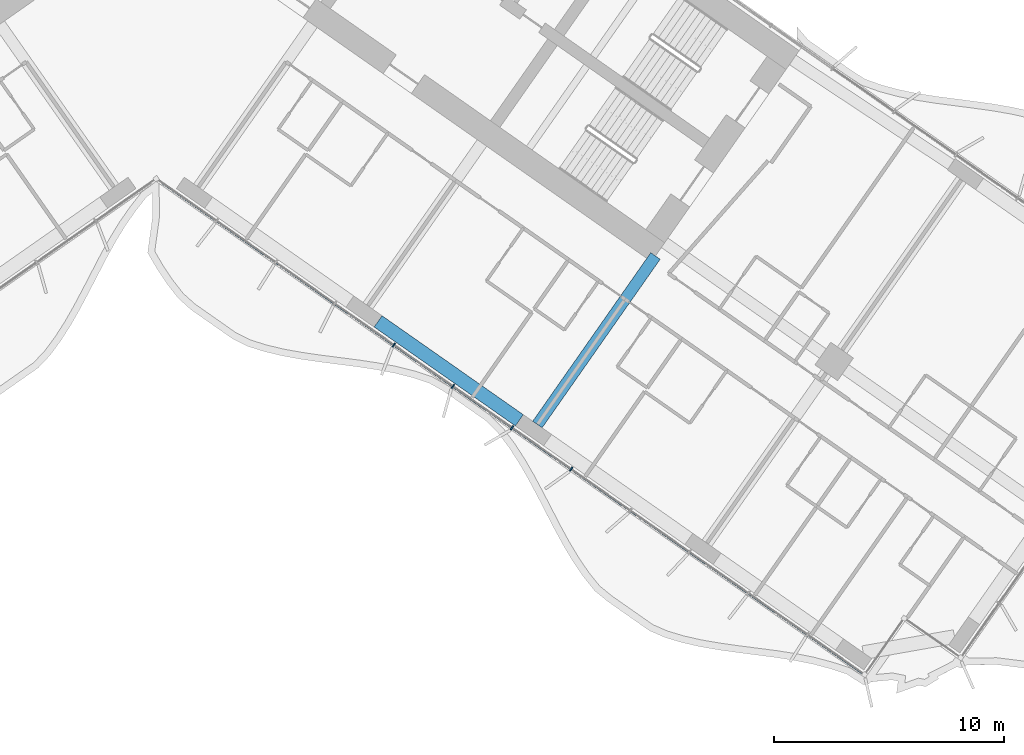
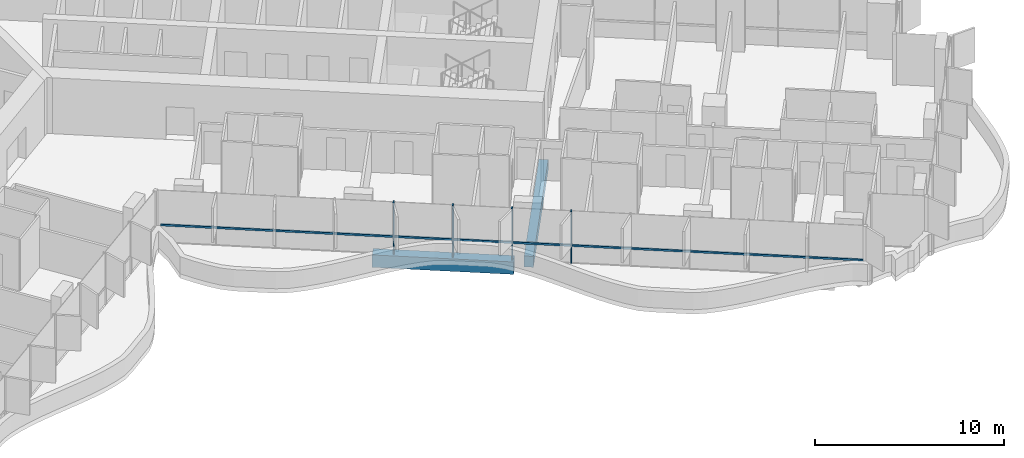
# One storey, part 5 of 25: 5 members, 2 beams, 1 element without a shape of its own.
"""IFC4 building model written with IfcOpenShell, lengths in metres."""

import ifcopenshell
import ifcopenshell.guid

model = None  # the IFC model being written
_history = None  # IfcOwnerHistory: only IFC2X3 demands one
_inside = {}  # id of a spatial element -> (the spatial element, [elements in it])
_under = {}  # id of a project, library or spatial element -> (it, [spatial elements below it])
_declared = {}  # id of a project -> (the project, [libraries it declares])
_typed = {}  # id of a type object -> (the type object, [elements of that type])
_made_of = {}  # id of a material, layer set ... -> (it, [elements and type objects made of it])


def new_model(schema):
    """Start an empty IFC model of exactly this schema.

    Asked for "IFC4X3", IfcOpenShell would pick the latest addendum, in which some entities
    have other attributes; the version numbers below select the first issue.
    IFC2X3 requires an IfcOwnerHistory on every rooted entity: one is made here for all.
    """
    global model, _history
    if schema == "IFC4X3":
        model = ifcopenshell.file(schema_version=(4, 3, 0, 0))
    else:
        model = ifcopenshell.file(schema=schema)
    _inside.clear()
    _under.clear()
    _declared.clear()
    _typed.clear()
    _made_of.clear()
    _history = None
    if model.schema == "IFC2X3":
        org = make("IfcOrganization", Name="unknown")
        user = make(
            "IfcPersonAndOrganization",
            ThePerson=make("IfcPerson", FamilyName="unknown"),
            TheOrganization=org,
        )
        app = make(
            "IfcApplication",
            ApplicationDeveloper=org,
            Version="unknown",
            ApplicationFullName="unknown",
            ApplicationIdentifier="unknown",
        )
        _history = make(
            "IfcOwnerHistory",
            OwningUser=user,
            OwningApplication=app,
            ChangeAction="ADDED",
            CreationDate=0,
        )
    return model


def make(cls, **values):
    """One entity of the class cls with the attributes given. An attribute that is None is left unset."""
    return model.create_entity(
        cls, **{name: value for name, value in values.items() if value is not None}
    )


def rooted(cls, **values):
    """An entity with a GlobalId (a new one), such as an element, a storey or a relation."""
    return make(cls, GlobalId=ifcopenshell.guid.new(), OwnerHistory=_history, **values)


def si_unit(unit_type, name, prefix=None):
    """IfcSIUnit, for example si_unit("LENGTHUNIT", "METRE", prefix="MILLI")."""
    return make("IfcSIUnit", UnitType=unit_type, Prefix=prefix, Name=name)


def assignment(units):
    """IfcUnitAssignment: the units of a project."""
    return None if units is None else make("IfcUnitAssignment", Units=units)


def point(xyz):
    """IfcCartesianPoint."""
    return None if xyz is None else make("IfcCartesianPoint", Coordinates=xyz)


def direction(xyz):
    """IfcDirection."""
    return None if xyz is None else make("IfcDirection", DirectionRatios=xyz)


def frame(location, z_axis=None, x_axis=None):
    """IfcAxis2Placement3D, a coordinate frame: its origin and axes. An axis left out is left unset."""
    return make(
        "IfcAxis2Placement3D",
        Location=point(location),
        Axis=direction(z_axis),
        RefDirection=direction(x_axis),
    )


def frame_2d(location, x_axis=None):
    """IfcAxis2Placement2D, a coordinate frame in the plane: its origin and x axis."""
    return make(
        "IfcAxis2Placement2D", Location=point(location), RefDirection=direction(x_axis)
    )


def origin():
    """The frame at (0, 0, 0) with its axes left unset."""
    return frame((0.0, 0.0, 0.0))


def origin_2d():
    """The frame at (0, 0) in the plane with its x axis left unset."""
    return frame_2d((0.0, 0.0))


def place(relative_to, where):
    """IfcLocalPlacement: puts the frame where relative to a parent placement (None: the world)."""
    return make(
        "IfcLocalPlacement", PlacementRelTo=relative_to, RelativePlacement=where
    )


def context(
    kind, dimensions, precision=None, world=None, true_north=None, identifier=None
):
    """IfcGeometricRepresentationContext, for example the 3D "Model" context."""
    return make(
        "IfcGeometricRepresentationContext",
        ContextIdentifier=identifier,
        ContextType=kind,
        CoordinateSpaceDimension=dimensions,
        Precision=precision,
        WorldCoordinateSystem=world,
        TrueNorth=true_north,
    )


def subcontext(parent, identifier, kind, view, scale=None):
    """IfcGeometricRepresentationSubContext, for example "Body" below "Model"."""
    return make(
        "IfcGeometricRepresentationSubContext",
        ContextIdentifier=identifier,
        ContextType=kind,
        ParentContext=parent,
        TargetScale=scale,
        TargetView=view,
    )


def project(units=None, contexts=None):
    """IfcProject with its units and contexts."""
    return rooted(
        "IfcProject",
        Name="project",
        RepresentationContexts=contexts,
        UnitsInContext=assignment(units),
    )


def spatial(cls, under=None, at=None, **own):
    """A site, building, storey or space (cls), placed at a placement, below another one or the project."""
    s = rooted(cls, ObjectPlacement=at, **own)
    if under is not None:
        _under.setdefault(under.id(), (under, []))[1].append(s)
    return s


def profile(cls, at=None, kind="AREA", **sizes):
    """A parametric profile (cls). Its sizes go by their IFC names, for example OverallWidth=200.0."""
    return make(cls, ProfileType=kind, Position=at, **sizes)


def rectangle(**sizes):
    """IfcRectangleProfileDef."""
    return profile("IfcRectangleProfileDef", **sizes)


def extrude(swept, where, along, depth):
    """IfcExtrudedAreaSolid: the profile swept, set in the frame where, extruded along a direction by depth."""
    return make(
        "IfcExtrudedAreaSolid",
        SweptArea=swept,
        Position=where,
        ExtrudedDirection=direction(along),
        Depth=depth,
    )


def shape(context_of_items, identifier, shape_type, items):
    """IfcShapeRepresentation: the items that make up one representation, for example the "Body"."""
    return make(
        "IfcShapeRepresentation",
        ContextOfItems=context_of_items,
        RepresentationIdentifier=identifier,
        RepresentationType=shape_type,
        Items=items,
    )


def material(Name=None, Category=None):
    """IfcMaterial."""
    return make("IfcMaterial", Name=Name, Category=Category)


def material_profile(
    of_material, cross_section, Name=None, Category=None, Priority=None
):
    """IfcMaterialProfile: a cross section and its material."""
    return make(
        "IfcMaterialProfile",
        Name=Name,
        Material=of_material,
        Profile=cross_section,
        Priority=Priority,
        Category=Category,
    )


def profile_set(profiles, Name=None, composite=None):
    """IfcMaterialProfileSet."""
    return make(
        "IfcMaterialProfileSet",
        Name=Name,
        MaterialProfiles=profiles,
        CompositeProfile=composite,
    )


def made_of(thing, what):
    """Note that an element or type object is made of a material, layer set ...; save() writes the relation."""
    if what is not None:
        _made_of.setdefault(what.id(), (what, []))[1].append(thing)
    return thing


def type_object(cls, material=None, **own):
    """A type object (cls), such as IfcWallType, which elements share."""
    return made_of(rooted(cls, **own), material)


def element(
    cls,
    number,
    at=None,
    inside=None,
    cuts=None,
    type_object=None,
    material=None,
    context=None,
    identifier="Body",
    shape_type=None,
    held_by="IfcProductDefinitionShape",
    body=None,
    shapes=None,
    **own,
):
    """One element of the class cls, such as IfcWall. Its Tag is "e" and its number.

    at: its placement. inside: the storey or other place that contains it. cuts: it is an
    opening in that element (IfcRelVoidsElement). A single representation is given by context,
    identifier, shape_type and body (its items); several are given by shapes. held_by: the class
    of the entity that holds the representations. save() writes the other relations.
    """
    e = rooted(cls, Tag="e%d" % number, ObjectPlacement=at, **own)
    if body is not None:
        shapes = [shape(context, identifier, shape_type, body)]
    if shapes is not None:
        e.Representation = make(held_by, Representations=shapes)
    if inside is not None:
        _inside.setdefault(inside.id(), (inside, []))[1].append(e)
    if cuts is not None:
        rooted(
            "IfcRelVoidsElement", RelatingBuildingElement=cuts, RelatedOpeningElement=e
        )
    if type_object is not None:
        _typed.setdefault(type_object.id(), (type_object, []))[1].append(e)
    return made_of(e, material)


def aggregate(whole, parts):
    """IfcRelAggregates: a whole, such as a stair, and the parts it consists of."""
    return rooted("IfcRelAggregates", RelatingObject=whole, RelatedObjects=parts)


def save(model, path):
    """Write the relations noted so far, then the file.

    IfcRelAggregates (storeys below a building ...), IfcRelContainedInSpatialStructure (elements
    in a storey), IfcRelDefinesByType, IfcRelAssociatesMaterial and IfcRelDeclares: one each for
    every whole, place, type object, material and project.
    """
    for whole, parts in _under.values():
        aggregate(whole, parts)
    for where, things in _inside.values():
        rooted(
            "IfcRelContainedInSpatialStructure",
            RelatedElements=things,
            RelatingStructure=where,
        )
    for kind, things in _typed.values():
        rooted("IfcRelDefinesByType", RelatedObjects=things, RelatingType=kind)
    for what, things in _made_of.values():
        rooted("IfcRelAssociatesMaterial", RelatedObjects=things, RelatingMaterial=what)
    for by, libraries in _declared.values():
        rooted("IfcRelDeclares", RelatingContext=by, RelatedDefinitions=libraries)
    model.write(path)


model = new_model("IFC4")

# Units and contexts
model_context = context("Model", 3, precision=1e-05, world=origin(), true_north=direction((0.0, 1.0)))
body_context = subcontext(model_context, "Body", "Model", "MODEL_VIEW")
ifc_project = project(units=[si_unit("LENGTHUNIT", "METRE"), si_unit("AREAUNIT", "SQUARE_METRE"), si_unit("VOLUMEUNIT", "CUBIC_METRE"), si_unit("PLANEANGLEUNIT", "RADIAN"), si_unit("MASSUNIT", "GRAM", prefix="KILO")], contexts=[model_context])

# Site, building, storey
site_placement = place(None, origin())
site = spatial("IfcSite", under=ifc_project, at=site_placement, CompositionType="ELEMENT")
building_placement = place(site_placement, origin())
building = spatial("IfcBuilding", under=site, at=building_placement, Name="Tel Ilan Convention Tower", CompositionType="ELEMENT")
storey_placement = place(building_placement, frame((0.0, 0.0, 54.5)))
storey = spatial("IfcBuildingStorey", under=building, at=storey_placement, Name="L08", CompositionType="ELEMENT", Elevation=54.5)

# Beams
ifc_material_1 = material(Name="Concrete C40/50", Category="concrete")
ifc_material_profile_1 = material_profile(ifc_material_1, rectangle(XDim=0.5, YDim=0.699951171875, at=origin_2d()), Name="RC 500x700")
ifc_profile_set_1 = profile_set([ifc_material_profile_1], Name="Concrete C40/50")
beam_type_1 = type_object("IfcBeamType", Name="Beam RC 500x700 Concrete C40/50", PredefinedType="BEAM", material=ifc_profile_set_1)
beam_1_placement = place(storey_placement, frame((16.58203125, -23.391357421875, -0.6298828125), z_axis=(0.573584999642, 0.819146048141, 0.0), x_axis=(-0.819146048141, 0.573584999642, 0.0)))
element("IfcBeam", 1, at=beam_1_placement, inside=storey, type_object=beam_type_1, Name="L08 beam E-E-F3-core", PredefinedType="BEAM", context=body_context, shape_type="SweptSolid", body=[
    extrude(rectangle(XDim=0.5, YDim=0.699951171875, at=origin_2d()), origin(), (0.0, 0.0, 1.0), 8.949951171875),
])
ifc_material_2 = material(Name="Concrete C40/50", Category="concrete")
ifc_material_profile_2 = material_profile(ifc_material_2, rectangle(XDim=0.60009765625, YDim=0.800048828125, at=origin_2d()), Name="RC 600x800")
ifc_profile_set_2 = profile_set([ifc_material_profile_2], Name="Concrete C40/50")
beam_type_2 = type_object("IfcBeamType", Name="Beam RC 600x800 Concrete C40/50", PredefinedType="BEAM", material=ifc_profile_set_2)
beam_2_placement = place(storey_placement, frame((9.652099609375, -18.905029296875, -0.679931640625), z_axis=(0.81915238829, -0.573575945067, 0.0), x_axis=(0.573575945067, 0.81915238829, 0.0)))
element("IfcBeam", 2, at=beam_2_placement, inside=storey, type_object=beam_type_2, Name="L08 beam E-E-F2-E-F3", PredefinedType="BEAM", context=body_context, shape_type="SweptSolid", body=[
    extrude(rectangle(XDim=0.60009765625, YDim=0.800048828125, at=origin_2d()), origin(), (0.0, 0.0, 1.0), 7.5),
])

# Curtain wall, members
ifc_material_3 = material(Name="Aluminium, bronze anodised", Category="aluminium")
curtain_wall_type = type_object("IfcCurtainWallType", Name="CW1 UNITISED CURTAIN WALL, HOTEL TINTED GLASS", PredefinedType="NOTDEFINED", material=ifc_material_3)
curtain_wall_placement = place(storey_placement, origin())
curtain_wall = element("IfcCurtainWall", 3, at=curtain_wall_placement, inside=storey, type_object=curtain_wall_type, Name="Curtain wall CW1-11.02", PredefinedType="NOTDEFINED")
ifc_material_4 = material(Name="Aluminium, bronze anodised", Category="aluminium")
ifc_material_profile_3 = material_profile(ifc_material_4, rectangle(XDim=0.06005859375, YDim=0.199951171875, at=origin_2d()), Name="CW MULLION 60x200")
ifc_profile_set_3 = profile_set([ifc_material_profile_3], Name="Aluminium, bronze anodised")
member_type_1 = type_object("IfcMemberType", Name="CW MULLION 60x200", PredefinedType="MULLION", material=ifc_profile_set_3)
member_1_placement = place(storey_placement, frame((10.337158203125, -19.93408203125, 0.0), z_axis=(0.0, 0.0, 1.0), x_axis=(0.819152044289, -0.573576436351, 0.0)))
member_1 = element("IfcMember", 4, at=member_1_placement, type_object=member_type_1, Name="Mullion", PredefinedType="MULLION", context=body_context, shape_type="SweptSolid", body=[
    extrude(rectangle(XDim=0.06005859375, YDim=0.199951171875, at=origin_2d()), origin(), (0.0, 0.0, 1.0), 3.320068359375),
])
member_2_placement = place(storey_placement, frame((12.906982421875, -21.733642578125, 0.0), z_axis=(0.0, 0.0, 1.0), x_axis=(0.819152044289, -0.573576436351, 0.0)))
member_2 = element("IfcMember", 5, at=member_2_placement, type_object=member_type_1, Name="Mullion", PredefinedType="MULLION", context=body_context, shape_type="SweptSolid", body=[
    extrude(rectangle(XDim=0.06005859375, YDim=0.199951171875, at=origin_2d()), origin(), (0.0, 0.0, 1.0), 3.320068359375),
])
member_3_placement = place(storey_placement, frame((15.47705078125, -23.533203125, 0.0), z_axis=(0.0, 0.0, 1.0), x_axis=(0.819152044289, -0.573576436351, 0.0)))
member_3 = element("IfcMember", 6, at=member_3_placement, type_object=member_type_1, Name="Mullion", PredefinedType="MULLION", context=body_context, shape_type="SweptSolid", body=[
    extrude(rectangle(XDim=0.06005859375, YDim=0.199951171875, at=origin_2d()), origin(), (0.0, 0.0, 1.0), 3.320068359375),
])
member_4_placement = place(storey_placement, frame((18.046875, -25.332763671875, 0.0), z_axis=(0.0, 0.0, 1.0), x_axis=(0.819152044289, -0.573576436351, 0.0)))
member_4 = element("IfcMember", 7, at=member_4_placement, type_object=member_type_1, Name="Mullion", PredefinedType="MULLION", context=body_context, shape_type="SweptSolid", body=[
    extrude(rectangle(XDim=0.06005859375, YDim=0.199951171875, at=origin_2d()), origin(), (0.0, 0.0, 1.0), 3.320068359375),
])
ifc_material_5 = material(Name="Aluminium, bronze anodised", Category="aluminium")
ifc_material_profile_4 = material_profile(ifc_material_5, rectangle(XDim=0.10009765625, YDim=0.1201171875, at=origin_2d()), Name="CW TRANSOM 100x120")
ifc_profile_set_4 = profile_set([ifc_material_profile_4], Name="Aluminium, bronze anodised")
member_type_2 = type_object("IfcMemberType", Name="CW TRANSOM 100x120", PredefinedType="USERDEFINED", material=ifc_profile_set_4)
member_5_placement = place(storey_placement, frame((0.22119140625, -12.850830078125, 1.10009765625), z_axis=(0.819152467103, -0.57357583251, 0.0), x_axis=(0.57357583251, 0.819152467103, 0.0)))
member_5 = element("IfcMember", 8, at=member_5_placement, type_object=member_type_2, Name="Transom", ObjectType="TRANSOM", PredefinedType="USERDEFINED", context=body_context, shape_type="SweptSolid", body=[
    extrude(rectangle(XDim=0.10009765625, YDim=0.1201171875, at=origin_2d()), origin(), (0.0, 0.0, 1.0), 37.247802734375),
])
aggregate(curtain_wall, [member_1, member_2, member_3, member_4, member_5])

save(model, "model.ifc")
